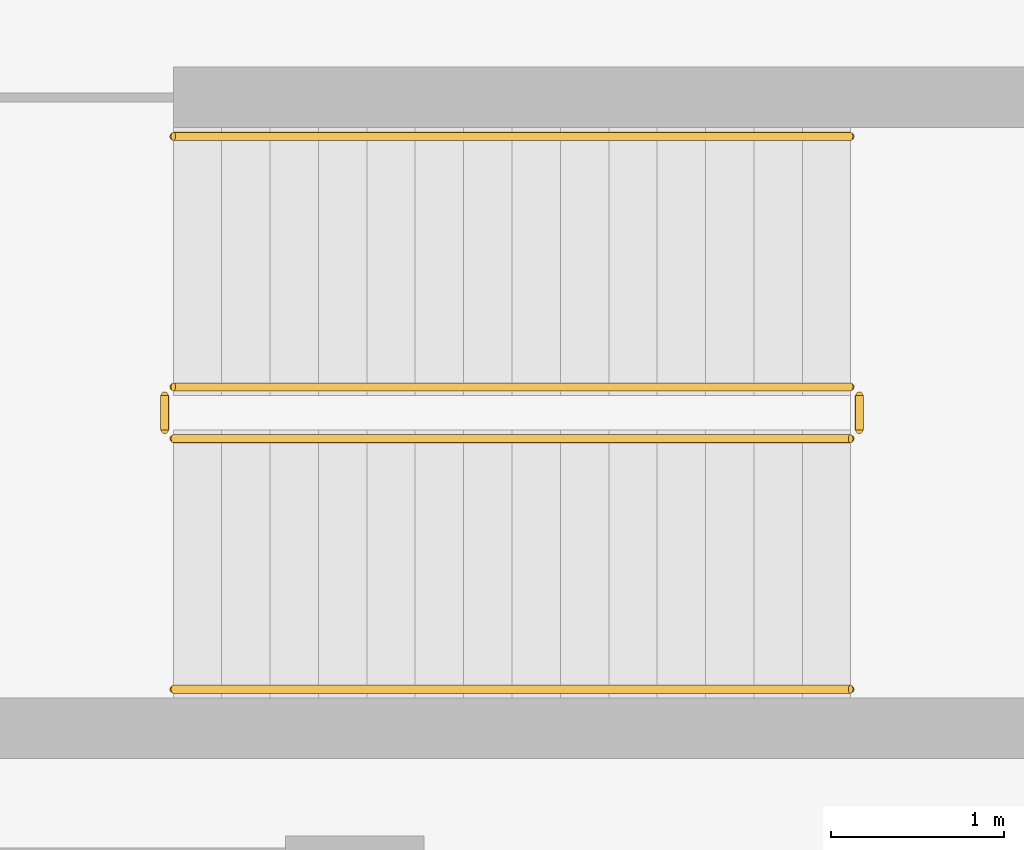
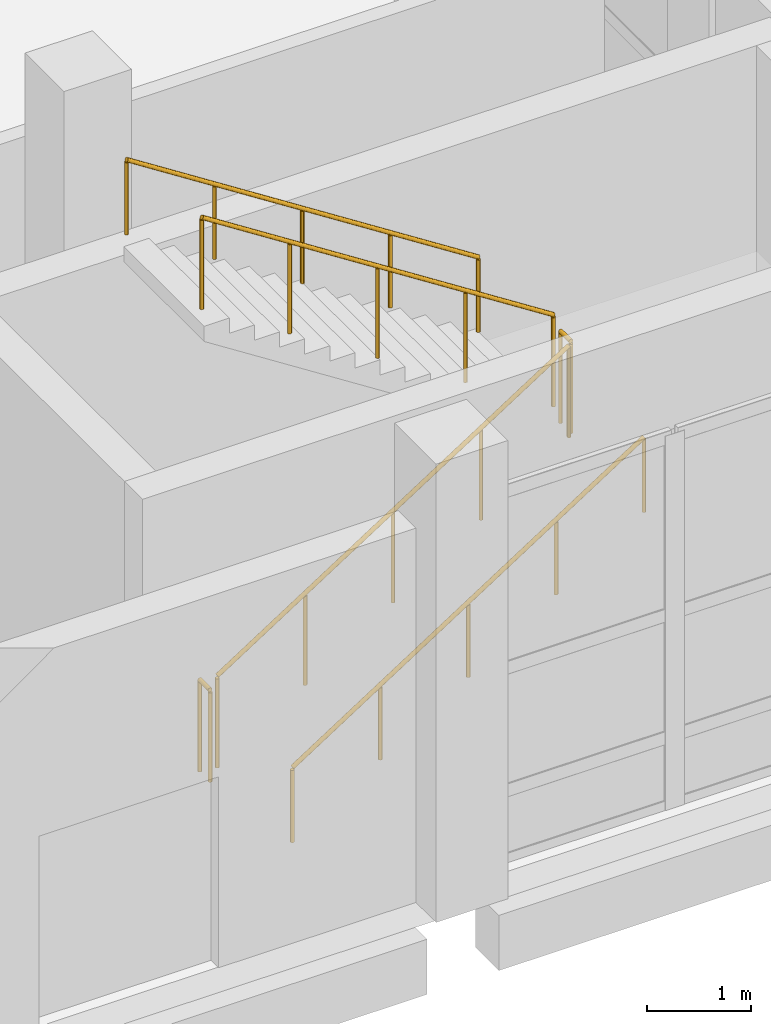
# One storey, part 133 of 137: 6 railings.
"""IFC4 building model written with IfcOpenShell, lengths in metres."""

from ifc_helpers import new_model, si_unit, direction, frame, origin, origin_2d, place, context, subcontext, project, spatial, circle, extrude, material, type_object, element, save


model = new_model("IFC4")

# Units and contexts
model_context = context("Model", 3, precision=1e-05, world=origin(), true_north=direction((0.0, 1.0)))
body_context = subcontext(model_context, "Body", "Model", "MODEL_VIEW")
ifc_project = project(units=[si_unit("LENGTHUNIT", "METRE"), si_unit("AREAUNIT", "SQUARE_METRE"), si_unit("VOLUMEUNIT", "CUBIC_METRE"), si_unit("PLANEANGLEUNIT", "RADIAN"), si_unit("MASSUNIT", "GRAM", prefix="KILO")], contexts=[model_context])

# Site, building, storey
site_placement = place(None, origin())
site = spatial("IfcSite", under=ifc_project, at=site_placement, CompositionType="ELEMENT")
building_placement = place(site_placement, origin())
building = spatial("IfcBuilding", under=site, at=building_placement, Name="Kalmorath City Hall", CompositionType="ELEMENT")
storey_placement = place(building_placement, origin())
storey = spatial("IfcBuildingStorey", under=building, at=storey_placement, Name="L00", CompositionType="ELEMENT", Elevation=0.0)

# Railings
ifc_material_1 = material(Name="Painted steel guardrail", Category="steel")
railing_type_1 = type_object("IfcRailingType", Name="Protected stair guardrail 1100", PredefinedType="GUARDRAIL", material=ifc_material_1)
railing_1_placement = place(storey_placement, frame((157.35009765625, 2.699951171875, 0.179931640625)))
element("IfcRailing", 1, at=railing_1_placement, inside=storey, type_object=railing_type_1, Name="L00 ST-7 stair guard 1", PredefinedType="GUARDRAIL", context=body_context, shape_type="SweptSolid", body=[
    extrude(circle(Radius=0.02392578125, at=origin_2d()), frame((0.0, 0.0, 1.076171875), z_axis=(0.841171666519, 0.0, 0.540768182723), x_axis=(0.0, 1.0, 0.0)), (0.0, 0.0, 1.0), 4.66015625),
    extrude(circle(Radius=0.02099609375, at=origin_2d()), origin(), (0.0, 0.0, 1.0), 1.052001953125),
    extrude(circle(Radius=0.02099609375, at=origin_2d()), frame((0.97998046875, 0.0, 0.6298828125)), (0.0, 0.0, 1.0), 1.052001953125),
    extrude(circle(Radius=0.02099609375, at=origin_2d()), frame((1.9599609375, 0.0, 1.260009765625)), (0.0, 0.0, 1.0), 1.052001953125),
    extrude(circle(Radius=0.02099609375, at=origin_2d()), frame((2.93994140625, 0.0, 1.89013671875)), (0.0, 0.0, 1.0), 1.052001953125),
    extrude(circle(Radius=0.02099609375, at=origin_2d()), frame((3.919921875, 0.0, 2.52001953125)), (0.0, 0.0, 1.0), 1.052001953125),
])
railing_2_placement = place(storey_placement, frame((161.320068359375, 2.75, 2.699951171875)))
element("IfcRailing", 2, at=railing_2_placement, inside=storey, type_object=railing_type_1, Name="L00 ST-7 stair guard 2", PredefinedType="GUARDRAIL", context=body_context, shape_type="SweptSolid", body=[
    extrude(circle(Radius=0.02392578125, at=origin_2d()), frame((0.0, 0.0, 1.076171875), z_axis=(0.0, 1.0, 0.0), x_axis=(-1.0, 0.0, 0.0)), (0.0, 0.0, 1.0), 0.199951171875),
    extrude(circle(Radius=0.02099609375, at=origin_2d()), origin(), (0.0, 0.0, 1.0), 1.052001953125),
    extrude(circle(Radius=0.02099609375, at=origin_2d()), frame((0.0, 0.199951171875, 0.0)), (0.0, 0.0, 1.0), 1.052001953125),
])
railing_3_placement = place(storey_placement, frame((161.27001953125, 3.0, 2.8798828125)))
element("IfcRailing", 3, at=railing_3_placement, inside=storey, type_object=railing_type_1, Name="L00 ST-7 stair guard 3", PredefinedType="GUARDRAIL", context=body_context, shape_type="SweptSolid", body=[
    extrude(circle(Radius=0.02392578125, at=origin_2d()), frame((0.0, 0.0, 1.076171875), z_axis=(-0.841171666519, 0.0, 0.540768182723), x_axis=(0.0, -1.0, 0.0)), (0.0, 0.0, 1.0), 4.66015625),
    extrude(circle(Radius=0.02099609375, at=origin_2d()), origin(), (0.0, 0.0, 1.0), 1.052001953125),
    extrude(circle(Radius=0.02099609375, at=origin_2d()), frame((-0.97998046875, 0.0, 0.6298828125)), (0.0, 0.0, 1.0), 1.052001953125),
    extrude(circle(Radius=0.02099609375, at=origin_2d()), frame((-1.9599609375, 0.0, 1.260009765625)), (0.0, 0.0, 1.0), 1.052001953125),
    extrude(circle(Radius=0.02099609375, at=origin_2d()), frame((-2.93994140625, 0.0, 1.89013671875)), (0.0, 0.0, 1.0), 1.052001953125),
    extrude(circle(Radius=0.02099609375, at=origin_2d()), frame((-3.919921875, 0.0, 2.52001953125)), (0.0, 0.0, 1.0), 1.052001953125),
])
railing_4_placement = place(storey_placement, frame((157.300048828125, 2.75, 0.0)))
element("IfcRailing", 4, at=railing_4_placement, inside=storey, type_object=railing_type_1, Name="L00 ST-7 stair guard 4", PredefinedType="GUARDRAIL", context=body_context, shape_type="SweptSolid", body=[
    extrude(circle(Radius=0.02392578125, at=origin_2d()), frame((0.0, 0.0, 1.076171875), z_axis=(0.0, 1.0, 0.0), x_axis=(-1.0, 0.0, 0.0)), (0.0, 0.0, 1.0), 0.199951171875),
    extrude(circle(Radius=0.02099609375, at=origin_2d()), origin(), (0.0, 0.0, 1.0), 1.052001953125),
    extrude(circle(Radius=0.02099609375, at=origin_2d()), frame((0.0, 0.199951171875, 0.0)), (0.0, 0.0, 1.0), 1.052001953125),
])
ifc_material_2 = material(Name="Brushed stainless steel handrail", Category="steel")
railing_type_2 = type_object("IfcRailingType", Name="Stair pitch handrail 900", PredefinedType="HANDRAIL", material=ifc_material_2)
railing_5_placement = place(storey_placement, frame((157.35009765625, 1.25, 0.179931640625)))
element("IfcRailing", 5, at=railing_5_placement, inside=storey, type_object=railing_type_2, Name="L00 ST-7 stair handrail 1", PredefinedType="HANDRAIL", context=body_context, shape_type="SweptSolid", body=[
    extrude(circle(Radius=0.02392578125, at=origin_2d()), frame((0.0, 0.0, 0.8759765625), z_axis=(0.841171666519, 0.0, 0.540768182723), x_axis=(0.0, 1.0, 0.0)), (0.0, 0.0, 1.0), 4.66015625),
    extrude(circle(Radius=0.02099609375, at=origin_2d()), origin(), (0.0, 0.0, 1.0), 0.851806640625),
    extrude(circle(Radius=0.02099609375, at=origin_2d()), frame((0.97998046875, 0.0, 0.6298828125)), (0.0, 0.0, 1.0), 0.851806640625),
    extrude(circle(Radius=0.02099609375, at=origin_2d()), frame((1.9599609375, 0.0, 1.260009765625)), (0.0, 0.0, 1.0), 0.851806640625),
    extrude(circle(Radius=0.02099609375, at=origin_2d()), frame((2.93994140625, 0.0, 1.89013671875)), (0.0, 0.0, 1.0), 0.851806640625),
    extrude(circle(Radius=0.02099609375, at=origin_2d()), frame((3.919921875, 0.0, 2.52001953125)), (0.0, 0.0, 1.0), 0.851806640625),
])
railing_6_placement = place(storey_placement, frame((161.27001953125, 4.449951171875, 2.8798828125)))
element("IfcRailing", 6, at=railing_6_placement, inside=storey, type_object=railing_type_2, Name="L00 ST-7 stair handrail 2", PredefinedType="HANDRAIL", context=body_context, shape_type="SweptSolid", body=[
    extrude(circle(Radius=0.02392578125, at=origin_2d()), frame((0.0, 0.0, 0.8759765625), z_axis=(-0.841171666519, 0.0, 0.540768182723), x_axis=(0.0, -1.0, 0.0)), (0.0, 0.0, 1.0), 4.66015625),
    extrude(circle(Radius=0.02099609375, at=origin_2d()), origin(), (0.0, 0.0, 1.0), 0.851806640625),
    extrude(circle(Radius=0.02099609375, at=origin_2d()), frame((-0.97998046875, 0.0, 0.6298828125)), (0.0, 0.0, 1.0), 0.851806640625),
    extrude(circle(Radius=0.02099609375, at=origin_2d()), frame((-1.9599609375, 0.0, 1.260009765625)), (0.0, 0.0, 1.0), 0.851806640625),
    extrude(circle(Radius=0.02099609375, at=origin_2d()), frame((-2.93994140625, 0.0, 1.89013671875)), (0.0, 0.0, 1.0), 0.851806640625),
    extrude(circle(Radius=0.02099609375, at=origin_2d()), frame((-3.919921875, 0.0, 2.52001953125)), (0.0, 0.0, 1.0), 0.851806640625),
])

save(model, "model.ifc")
